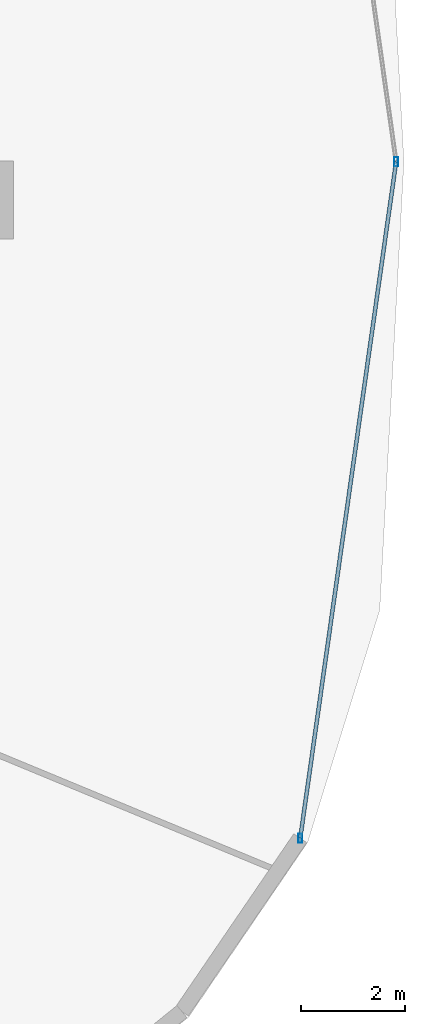
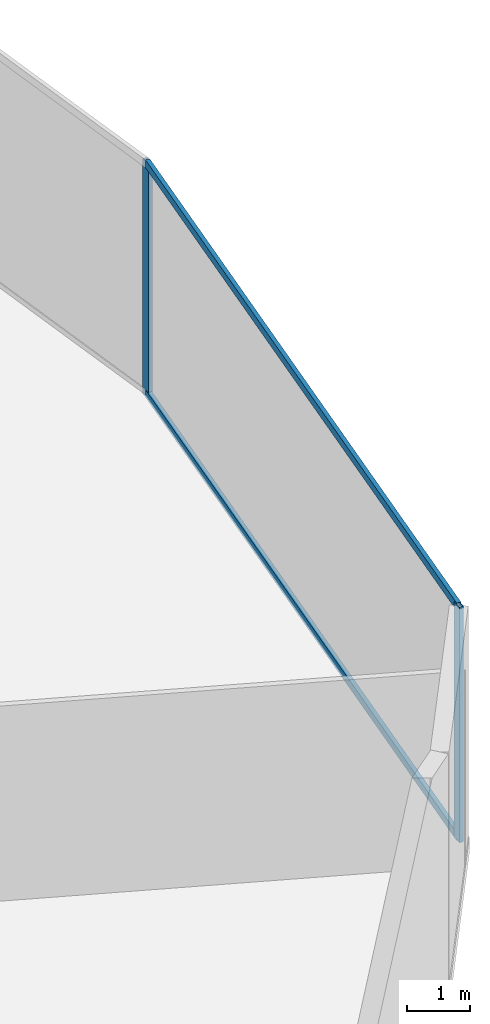
# One storey, part 18 of 27: 4 members, 1 element without a shape of its own.
"""IFC4 building model written with IfcOpenShell, lengths in metres."""

from ifc_helpers import new_model, si_unit, direction, frame, origin, origin_2d, place, context, subcontext, project, spatial, hollow_rectangle, extrude, material, material_profile, profile_set, type_object, element, aggregate, save


model = new_model("IFC4")

# Units and contexts
model_context = context("Model", 3, precision=1e-05, world=origin(), true_north=direction((0.0, 1.0)))
body_context = subcontext(model_context, "Body", "Model", "MODEL_VIEW")
ifc_project = project(units=[si_unit("LENGTHUNIT", "METRE"), si_unit("AREAUNIT", "SQUARE_METRE"), si_unit("VOLUMEUNIT", "CUBIC_METRE"), si_unit("PLANEANGLEUNIT", "RADIAN"), si_unit("MASSUNIT", "GRAM", prefix="KILO")], contexts=[model_context])

# Site, building, storey
site_placement = place(None, origin())
site = spatial("IfcSite", under=ifc_project, at=site_placement, CompositionType="ELEMENT")
building_placement = place(site_placement, origin())
building = spatial("IfcBuilding", under=site, at=building_placement, Name="Vorneva Point Tower", CompositionType="ELEMENT")
storey_placement = place(building_placement, frame((0.0, 0.0, 4.800048828125)))
storey = spatial("IfcBuildingStorey", under=building, at=storey_placement, Name="L01", CompositionType="ELEMENT", Elevation=4.800048828125)

# Curtain wall, members
ifc_material = material(Name="Pale anodised aluminium", Category="aluminium")
curtain_wall_type = type_object("IfcCurtainWallType", Name="CW-POD-SYS", PredefinedType="NOTDEFINED", material=ifc_material)
curtain_wall_placement = place(storey_placement, origin())
curtain_wall = element("IfcCurtainWall", 1, at=curtain_wall_placement, inside=storey, type_object=curtain_wall_type, Name="L01 Unitised Curtain Wall CW-L01-R01", PredefinedType="NOTDEFINED")
ifc_material_profile_1 = material_profile(ifc_material, hollow_rectangle(XDim=0.074951171875, YDim=0.179931640625, WallThickness=0.00390625, at=origin_2d()), Name="AL-MUL 180x75x4")
ifc_profile_set_1 = profile_set([ifc_material_profile_1], Name="Pale anodised aluminium")
member_type_1 = type_object("IfcMemberType", Name="CW-MUL-180", PredefinedType="MULLION", material=ifc_profile_set_1)
member_1_placement = place(storey_placement, frame((71.47119140625, 12.94287109375, -0.0400390625), z_axis=(0.0, 0.0, 1.0), x_axis=(1.0, 0.0, 0.0)))
member_1 = element("IfcMember", 2, at=member_1_placement, type_object=member_type_1, Name="CW-L01-R01 Mullion 01", PredefinedType="MULLION", context=body_context, shape_type="SweptSolid", body=[
    extrude(hollow_rectangle(XDim=0.074951171875, YDim=0.179931640625, WallThickness=0.00390625, at=origin_2d()), origin(), (0.0, 0.0, 1.0), 4.550048828125),
])
member_2_placement = place(storey_placement, frame((73.322021484375, 26.0, -0.0400390625), z_axis=(0.0, 0.0, 1.0), x_axis=(1.0, 0.0, 0.0)))
member_2 = element("IfcMember", 3, at=member_2_placement, type_object=member_type_1, Name="CW-L01-R01 Mullion 02", PredefinedType="MULLION", context=body_context, shape_type="SweptSolid", body=[
    extrude(hollow_rectangle(XDim=0.074951171875, YDim=0.179931640625, WallThickness=0.00390625, at=origin_2d()), origin(), (0.0, 0.0, 1.0), 4.550048828125),
])
ifc_material_profile_2 = material_profile(ifc_material, hollow_rectangle(XDim=0.074951171875, YDim=0.14990234375, WallThickness=0.00390625, at=origin_2d()), Name="AL-TRN 150x75x4")
ifc_profile_set_2 = profile_set([ifc_material_profile_2], Name="Pale anodised aluminium")
member_type_2 = type_object("IfcMemberType", Name="CW-TRN-150", PredefinedType="USERDEFINED", material=ifc_profile_set_2)
member_3_placement = place(storey_placement, frame((71.47119140625, 12.94287109375, 0.02001953125), z_axis=(0.140345678, 0.990102565731, 0.0), x_axis=(-0.990102565731, 0.140345678, 0.0)))
member_3 = element("IfcMember", 4, at=member_3_placement, type_object=member_type_2, Name="CW-L01-R01 Transom 01.1", ObjectType="TRANSOM", PredefinedType="USERDEFINED", context=body_context, shape_type="SweptSolid", body=[
    extrude(hollow_rectangle(XDim=0.074951171875, YDim=0.14990234375, WallThickness=0.00390625, at=origin_2d()), origin(), (0.0, 0.0, 1.0), 13.187744140625),
])
member_4_placement = place(storey_placement, frame((71.47119140625, 12.94287109375, 4.4599609375), z_axis=(0.140345678, 0.990102565731, 0.0), x_axis=(-0.990102565731, 0.140345678, 0.0)))
member_4 = element("IfcMember", 5, at=member_4_placement, type_object=member_type_2, Name="CW-L01-R01 Transom 01.2", ObjectType="TRANSOM", PredefinedType="USERDEFINED", context=body_context, shape_type="SweptSolid", body=[
    extrude(hollow_rectangle(XDim=0.074951171875, YDim=0.14990234375, WallThickness=0.00390625, at=origin_2d()), origin(), (0.0, 0.0, 1.0), 13.187744140625),
])
aggregate(curtain_wall, [member_1, member_2, member_3, member_4])

save(model, "model.ifc")
